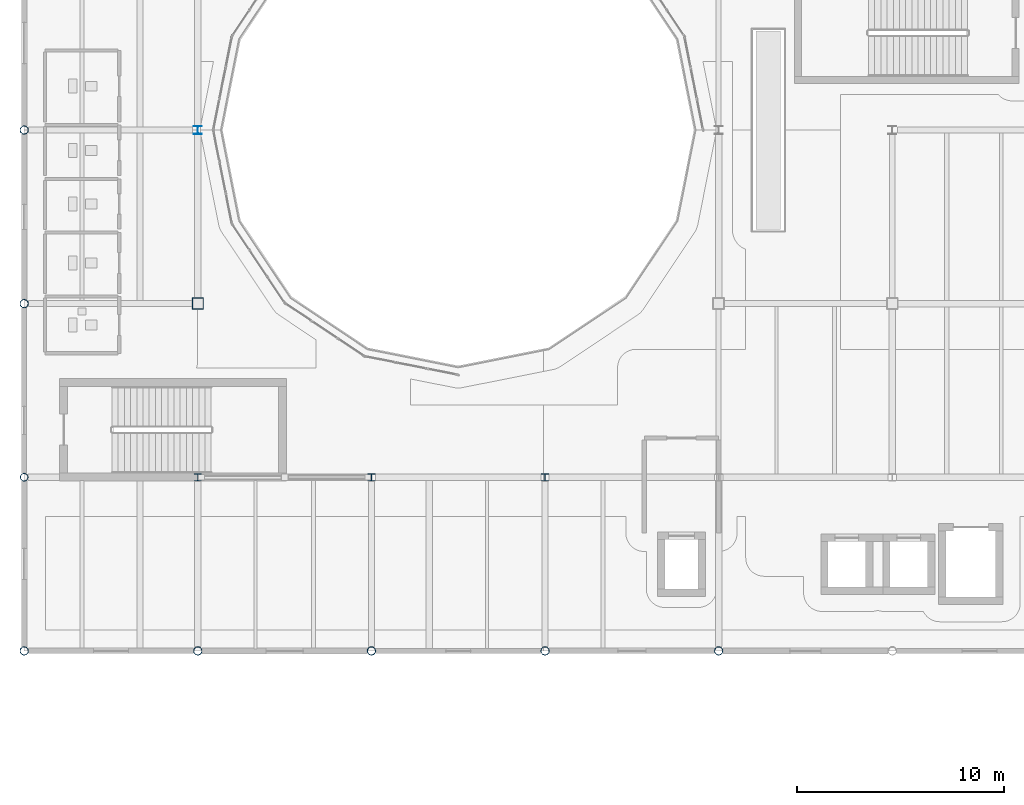
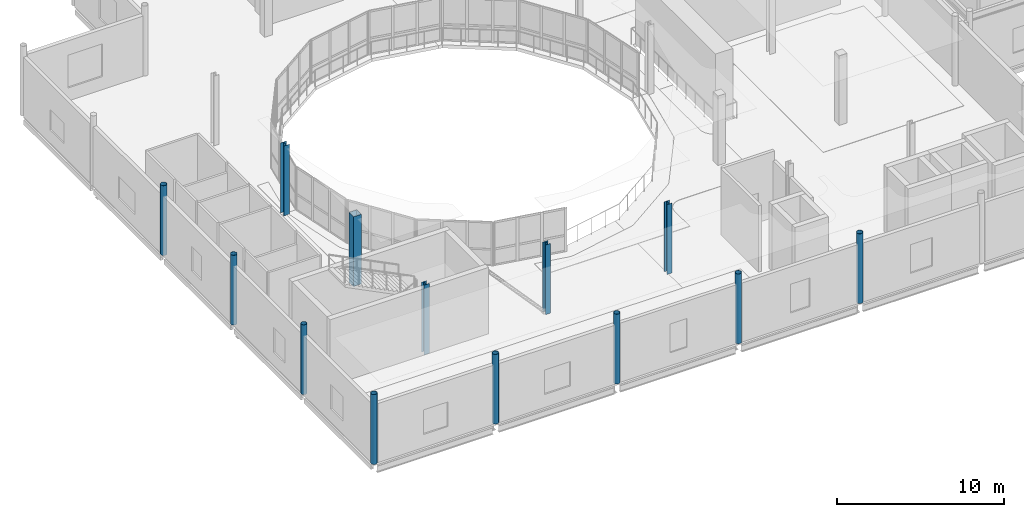
# One storey, part 1 of 103: 13 columns.
"""IFC4 building model written with IfcOpenShell, lengths in metres."""

import ifcopenshell
import ifcopenshell.guid

model = None  # the IFC model being written
_history = None  # IfcOwnerHistory: only IFC2X3 demands one
_inside = {}  # id of a spatial element -> (the spatial element, [elements in it])
_under = {}  # id of a project, library or spatial element -> (it, [spatial elements below it])
_declared = {}  # id of a project -> (the project, [libraries it declares])
_typed = {}  # id of a type object -> (the type object, [elements of that type])
_made_of = {}  # id of a material, layer set ... -> (it, [elements and type objects made of it])


def new_model(schema):
    """Start an empty IFC model of exactly this schema.

    Asked for "IFC4X3", IfcOpenShell would pick the latest addendum, in which some entities
    have other attributes; the version numbers below select the first issue.
    IFC2X3 requires an IfcOwnerHistory on every rooted entity: one is made here for all.
    """
    global model, _history
    if schema == "IFC4X3":
        model = ifcopenshell.file(schema_version=(4, 3, 0, 0))
    else:
        model = ifcopenshell.file(schema=schema)
    _inside.clear()
    _under.clear()
    _declared.clear()
    _typed.clear()
    _made_of.clear()
    _history = None
    if model.schema == "IFC2X3":
        org = make("IfcOrganization", Name="unknown")
        user = make(
            "IfcPersonAndOrganization",
            ThePerson=make("IfcPerson", FamilyName="unknown"),
            TheOrganization=org,
        )
        app = make(
            "IfcApplication",
            ApplicationDeveloper=org,
            Version="unknown",
            ApplicationFullName="unknown",
            ApplicationIdentifier="unknown",
        )
        _history = make(
            "IfcOwnerHistory",
            OwningUser=user,
            OwningApplication=app,
            ChangeAction="ADDED",
            CreationDate=0,
        )
    return model


def make(cls, **values):
    """One entity of the class cls with the attributes given. An attribute that is None is left unset."""
    return model.create_entity(
        cls, **{name: value for name, value in values.items() if value is not None}
    )


def rooted(cls, **values):
    """An entity with a GlobalId (a new one), such as an element, a storey or a relation."""
    return make(cls, GlobalId=ifcopenshell.guid.new(), OwnerHistory=_history, **values)


def si_unit(unit_type, name, prefix=None):
    """IfcSIUnit, for example si_unit("LENGTHUNIT", "METRE", prefix="MILLI")."""
    return make("IfcSIUnit", UnitType=unit_type, Prefix=prefix, Name=name)


def assignment(units):
    """IfcUnitAssignment: the units of a project."""
    return None if units is None else make("IfcUnitAssignment", Units=units)


def point(xyz):
    """IfcCartesianPoint."""
    return None if xyz is None else make("IfcCartesianPoint", Coordinates=xyz)


def direction(xyz):
    """IfcDirection."""
    return None if xyz is None else make("IfcDirection", DirectionRatios=xyz)


def frame(location, z_axis=None, x_axis=None):
    """IfcAxis2Placement3D, a coordinate frame: its origin and axes. An axis left out is left unset."""
    return make(
        "IfcAxis2Placement3D",
        Location=point(location),
        Axis=direction(z_axis),
        RefDirection=direction(x_axis),
    )


def frame_2d(location, x_axis=None):
    """IfcAxis2Placement2D, a coordinate frame in the plane: its origin and x axis."""
    return make(
        "IfcAxis2Placement2D", Location=point(location), RefDirection=direction(x_axis)
    )


def origin():
    """The frame at (0, 0, 0) with its axes left unset."""
    return frame((0.0, 0.0, 0.0))


def origin_2d():
    """The frame at (0, 0) in the plane with its x axis left unset."""
    return frame_2d((0.0, 0.0))


def place(relative_to, where):
    """IfcLocalPlacement: puts the frame where relative to a parent placement (None: the world)."""
    return make(
        "IfcLocalPlacement", PlacementRelTo=relative_to, RelativePlacement=where
    )


def context(
    kind, dimensions, precision=None, world=None, true_north=None, identifier=None
):
    """IfcGeometricRepresentationContext, for example the 3D "Model" context."""
    return make(
        "IfcGeometricRepresentationContext",
        ContextIdentifier=identifier,
        ContextType=kind,
        CoordinateSpaceDimension=dimensions,
        Precision=precision,
        WorldCoordinateSystem=world,
        TrueNorth=true_north,
    )


def subcontext(parent, identifier, kind, view, scale=None):
    """IfcGeometricRepresentationSubContext, for example "Body" below "Model"."""
    return make(
        "IfcGeometricRepresentationSubContext",
        ContextIdentifier=identifier,
        ContextType=kind,
        ParentContext=parent,
        TargetScale=scale,
        TargetView=view,
    )


def project(units=None, contexts=None):
    """IfcProject with its units and contexts."""
    return rooted(
        "IfcProject",
        Name="project",
        RepresentationContexts=contexts,
        UnitsInContext=assignment(units),
    )


def spatial(cls, under=None, at=None, **own):
    """A site, building, storey or space (cls), placed at a placement, below another one or the project."""
    s = rooted(cls, ObjectPlacement=at, **own)
    if under is not None:
        _under.setdefault(under.id(), (under, []))[1].append(s)
    return s


def profile(cls, at=None, kind="AREA", **sizes):
    """A parametric profile (cls). Its sizes go by their IFC names, for example OverallWidth=200.0."""
    return make(cls, ProfileType=kind, Position=at, **sizes)


def hollow_rectangle(**sizes):
    """IfcRectangleHollowProfileDef."""
    return profile("IfcRectangleHollowProfileDef", **sizes)


def hollow_circle(**sizes):
    """IfcCircleHollowProfileDef."""
    return profile("IfcCircleHollowProfileDef", **sizes)


def i_section(**sizes):
    """IfcIShapeProfileDef."""
    return profile("IfcIShapeProfileDef", **sizes)


def extrude(swept, where, along, depth):
    """IfcExtrudedAreaSolid: the profile swept, set in the frame where, extruded along a direction by depth."""
    return make(
        "IfcExtrudedAreaSolid",
        SweptArea=swept,
        Position=where,
        ExtrudedDirection=direction(along),
        Depth=depth,
    )


def shape(context_of_items, identifier, shape_type, items):
    """IfcShapeRepresentation: the items that make up one representation, for example the "Body"."""
    return make(
        "IfcShapeRepresentation",
        ContextOfItems=context_of_items,
        RepresentationIdentifier=identifier,
        RepresentationType=shape_type,
        Items=items,
    )


def material(Name=None, Category=None):
    """IfcMaterial."""
    return make("IfcMaterial", Name=Name, Category=Category)


def material_profile(
    of_material, cross_section, Name=None, Category=None, Priority=None
):
    """IfcMaterialProfile: a cross section and its material."""
    return make(
        "IfcMaterialProfile",
        Name=Name,
        Material=of_material,
        Profile=cross_section,
        Priority=Priority,
        Category=Category,
    )


def profile_set(profiles, Name=None, composite=None):
    """IfcMaterialProfileSet."""
    return make(
        "IfcMaterialProfileSet",
        Name=Name,
        MaterialProfiles=profiles,
        CompositeProfile=composite,
    )


def made_of(thing, what):
    """Note that an element or type object is made of a material, layer set ...; save() writes the relation."""
    if what is not None:
        _made_of.setdefault(what.id(), (what, []))[1].append(thing)
    return thing


def type_object(cls, material=None, **own):
    """A type object (cls), such as IfcWallType, which elements share."""
    return made_of(rooted(cls, **own), material)


def element(
    cls,
    number,
    at=None,
    inside=None,
    cuts=None,
    type_object=None,
    material=None,
    context=None,
    identifier="Body",
    shape_type=None,
    held_by="IfcProductDefinitionShape",
    body=None,
    shapes=None,
    **own,
):
    """One element of the class cls, such as IfcWall. Its Tag is "e" and its number.

    at: its placement. inside: the storey or other place that contains it. cuts: it is an
    opening in that element (IfcRelVoidsElement). A single representation is given by context,
    identifier, shape_type and body (its items); several are given by shapes. held_by: the class
    of the entity that holds the representations. save() writes the other relations.
    """
    e = rooted(cls, Tag="e%d" % number, ObjectPlacement=at, **own)
    if body is not None:
        shapes = [shape(context, identifier, shape_type, body)]
    if shapes is not None:
        e.Representation = make(held_by, Representations=shapes)
    if inside is not None:
        _inside.setdefault(inside.id(), (inside, []))[1].append(e)
    if cuts is not None:
        rooted(
            "IfcRelVoidsElement", RelatingBuildingElement=cuts, RelatedOpeningElement=e
        )
    if type_object is not None:
        _typed.setdefault(type_object.id(), (type_object, []))[1].append(e)
    return made_of(e, material)


def aggregate(whole, parts):
    """IfcRelAggregates: a whole, such as a stair, and the parts it consists of."""
    return rooted("IfcRelAggregates", RelatingObject=whole, RelatedObjects=parts)


def save(model, path):
    """Write the relations noted so far, then the file.

    IfcRelAggregates (storeys below a building ...), IfcRelContainedInSpatialStructure (elements
    in a storey), IfcRelDefinesByType, IfcRelAssociatesMaterial and IfcRelDeclares: one each for
    every whole, place, type object, material and project.
    """
    for whole, parts in _under.values():
        aggregate(whole, parts)
    for where, things in _inside.values():
        rooted(
            "IfcRelContainedInSpatialStructure",
            RelatedElements=things,
            RelatingStructure=where,
        )
    for kind, things in _typed.values():
        rooted("IfcRelDefinesByType", RelatedObjects=things, RelatingType=kind)
    for what, things in _made_of.values():
        rooted("IfcRelAssociatesMaterial", RelatedObjects=things, RelatingMaterial=what)
    for by, libraries in _declared.values():
        rooted("IfcRelDeclares", RelatingContext=by, RelatedDefinitions=libraries)
    model.write(path)


model = new_model("IFC4")

# Units and contexts
model_context = context("Model", 3, precision=1e-05, world=origin(), true_north=direction((0.0, 1.0)))
body_context = subcontext(model_context, "Body", "Model", "MODEL_VIEW")
ifc_project = project(units=[si_unit("LENGTHUNIT", "METRE"), si_unit("AREAUNIT", "SQUARE_METRE"), si_unit("VOLUMEUNIT", "CUBIC_METRE"), si_unit("PLANEANGLEUNIT", "RADIAN"), si_unit("MASSUNIT", "GRAM", prefix="KILO"), si_unit("THERMODYNAMICTEMPERATUREUNIT", "KELVIN")], contexts=[model_context])

# Site, building, storey
site_placement = place(None, origin())
site = spatial("IfcSite", under=ifc_project, at=site_placement, CompositionType="ELEMENT")
building_placement = place(site_placement, origin())
building = spatial("IfcBuilding", under=site, at=building_placement, Name="Lustrewick Department Store", CompositionType="ELEMENT")
storey_placement = place(building_placement, frame((0.0, 0.0, 16.5)))
storey = spatial("IfcBuildingStorey", under=building, at=storey_placement, Name="L04", CompositionType="ELEMENT", Elevation=16.5)

# Columns
ifc_material_1 = material(Name="Structural steel Q355C", Category="steel")
ifc_material_profile_1 = material_profile(ifc_material_1, hollow_rectangle(XDim=0.550048828125, YDim=0.550048828125, WallThickness=0.02197265625, at=origin_2d()), Name="BOX 550x550x22")
ifc_profile_set_1 = profile_set([ifc_material_profile_1], Name="Structural steel Q355C")
column_type_1 = type_object("IfcColumnType", Name="C05", PredefinedType="COLUMN", material=ifc_profile_set_1)
column_1_placement = place(storey_placement, frame((16.800048828125, 58.800048828125, 0.0), z_axis=(0.0, 0.0, 1.0), x_axis=(1.0, 0.0, 0.0)))
element("IfcColumn", 1, at=column_1_placement, inside=storey, type_object=column_type_1, Name="L04 V1 Column C05", PredefinedType="COLUMN", context=body_context, shape_type="SweptSolid", body=[
    extrude(hollow_rectangle(XDim=0.550048828125, YDim=0.550048828125, WallThickness=0.02197265625, at=origin_2d()), origin(), (0.0, 0.0, 1.0), 5.10009765625),
])
ifc_material_2 = material(Name="Structural steel Q355B", Category="steel")
ifc_material_profile_2 = material_profile(ifc_material_2, i_section(OverallWidth=0.402099609375, OverallDepth=0.387939453125, WebThickness=0.014892578125, FlangeThickness=0.014892578125, FilletRadius=0.02197265625, at=origin_2d()), Name="HW 388x402x15x15")
ifc_profile_set_2 = profile_set([ifc_material_profile_2], Name="Structural steel Q355B")
column_type_2 = type_object("IfcColumnType", Name="C12", PredefinedType="COLUMN", material=ifc_profile_set_2)
column_2_placement = place(storey_placement, frame((16.800048828125, 67.199951171875, 0.0), z_axis=(0.0, 0.0, 1.0), x_axis=(1.0, 0.0, 0.0)))
element("IfcColumn", 2, at=column_2_placement, inside=storey, type_object=column_type_2, Name="L04 V1 Column C12", PredefinedType="COLUMN", context=body_context, shape_type="SweptSolid", body=[
    extrude(i_section(OverallWidth=0.402099609375, OverallDepth=0.387939453125, WebThickness=0.014892578125, FlangeThickness=0.014892578125, FilletRadius=0.02197265625, at=origin_2d()), origin(), (0.0, 0.0, 1.0), 5.10009765625),
])
ifc_material_profile_3 = material_profile(ifc_material_2, i_section(OverallWidth=0.35009765625, OverallDepth=0.35009765625, WebThickness=0.011962890625, FlangeThickness=0.01904296875, FilletRadius=0.02001953125, at=origin_2d()), Name="HW 350x350x12x19")
ifc_profile_set_3 = profile_set([ifc_material_profile_3], Name="Structural steel Q355B")
column_type_3 = type_object("IfcColumnType", Name="C13", PredefinedType="COLUMN", material=ifc_profile_set_3)
for number, where, z_axis, x_axis, name in (
    (3, (16.800048828125, 50.39990234375, 0.0), (0.0, 0.0, 1.0), (1.0, 0.0, 0.0), "L04 V1 Column C13"),
    (4, (25.199951171875, 50.39990234375, 0.0), (0.0, 0.0, 1.0), (1.0, 0.0, 0.0), "L04 V1 Column C13"),
    (5, (33.60009765625, 50.39990234375, 0.0), (0.0, 0.0, 1.0), (1.0, 0.0, 0.0), "L04 V1 Column C13"),
):
    element("IfcColumn", number, at=place(storey_placement, frame(where, z_axis=z_axis, x_axis=x_axis)), inside=storey, type_object=column_type_3, Name=name, PredefinedType="COLUMN", context=body_context, shape_type="SweptSolid", body=[
        extrude(i_section(OverallWidth=0.35009765625, OverallDepth=0.35009765625, WebThickness=0.011962890625, FlangeThickness=0.01904296875, FilletRadius=0.02001953125, at=origin_2d()), origin(), (0.0, 0.0, 1.0), 5.10009765625),
    ])
ifc_material_profile_4 = material_profile(ifc_material_1, hollow_circle(Radius=0.202880859375, WallThickness=0.01611328125, at=origin_2d()), Name="CHS 406x16")
ifc_profile_set_4 = profile_set([ifc_material_profile_4], Name="Structural steel Q355C")
column_type_4 = type_object("IfcColumnType", Name="CE03", PredefinedType="COLUMN", material=ifc_profile_set_4)
for number, where, z_axis, x_axis, name in (
    (6, (8.39990234375, 42.0, 0.0), (0.0, 0.0, 1.0), (1.0, 0.0, 0.0), "L04 V1 Column CE03"),
    (7, (8.39990234375, 58.800048828125, 0.0), (0.0, 0.0, 1.0), (1.0, 0.0, 0.0), "L04 V1 Column CE03"),
    (8, (8.39990234375, 67.199951171875, 0.0), (0.0, 0.0, 1.0), (1.0, 0.0, 0.0), "L04 V1 Column CE03"),
    (9, (16.800048828125, 42.0, 0.0), (0.0, 0.0, 1.0), (1.0, 0.0, 0.0), "L04 V1 Column CE03"),
    (10, (25.199951171875, 42.0, 0.0), (0.0, 0.0, 1.0), (1.0, 0.0, 0.0), "L04 V1 Column CE03"),
    (11, (33.60009765625, 42.0, 0.0), (0.0, 0.0, 1.0), (1.0, 0.0, 0.0), "L04 V1 Column CE03"),
    (12, (42.0, 42.0, 0.0), (0.0, 0.0, 1.0), (1.0, 0.0, 0.0), "L04 V1 Column CE03"),
):
    element("IfcColumn", number, at=place(storey_placement, frame(where, z_axis=z_axis, x_axis=x_axis)), inside=storey, type_object=column_type_4, Name=name, PredefinedType="COLUMN", context=body_context, shape_type="SweptSolid", body=[
        extrude(hollow_circle(Radius=0.202880859375, WallThickness=0.01611328125, at=origin_2d()), origin(), (0.0, 0.0, 1.0), 5.10009765625),
    ])
ifc_material_profile_5 = material_profile(ifc_material_2, hollow_circle(Radius=0.1884765625, WallThickness=0.013916015625, at=origin_2d()), Name="CHS 377x14")
ifc_profile_set_5 = profile_set([ifc_material_profile_5], Name="Structural steel Q355B")
column_type_5 = type_object("IfcColumnType", Name="CE04", PredefinedType="COLUMN", material=ifc_profile_set_5)
column_3_placement = place(storey_placement, frame((8.39990234375, 50.39990234375, 0.0), z_axis=(0.0, 0.0, 1.0), x_axis=(1.0, 0.0, 0.0)))
element("IfcColumn", 13, at=column_3_placement, inside=storey, type_object=column_type_5, Name="L04 V1 Column CE04", PredefinedType="COLUMN", context=body_context, shape_type="SweptSolid", body=[
    extrude(hollow_circle(Radius=0.1884765625, WallThickness=0.013916015625, at=origin_2d()), origin(), (0.0, 0.0, 1.0), 5.10009765625),
])

save(model, "model.ifc")
